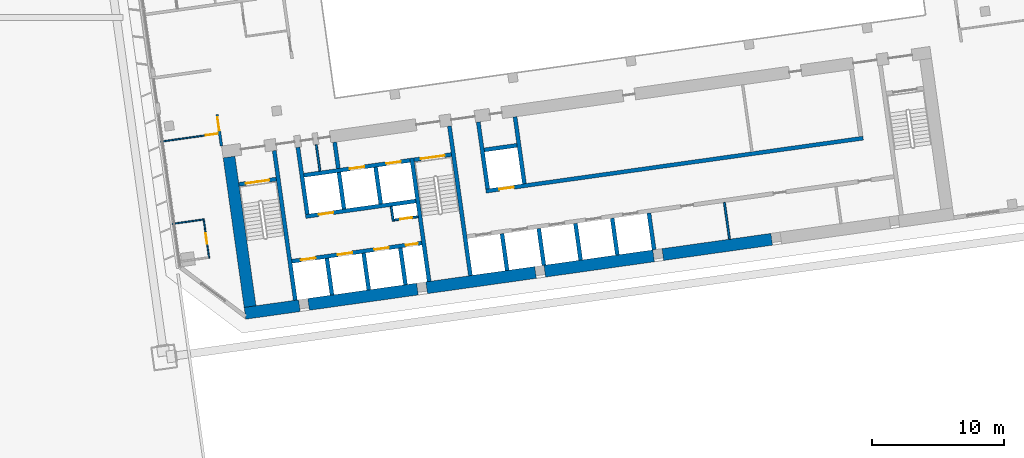
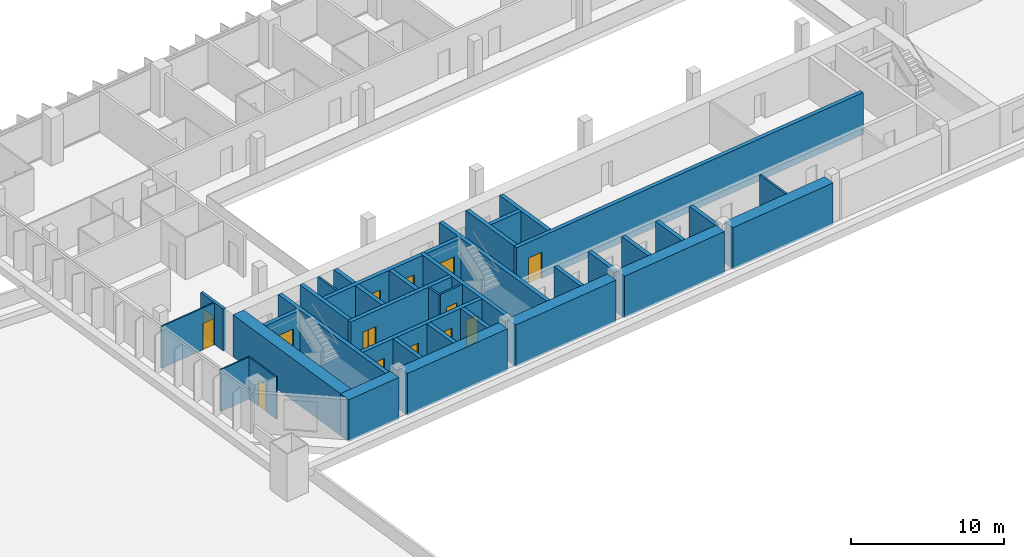
# One storey, part 33 of 46: 38 walls, 14 doors, 14 openings.
"""IFC4 building model written with IfcOpenShell, lengths in metres."""

from ifc_helpers import new_model, si_unit, direction, frame, frame_2d, origin, place, context, subcontext, project, spatial, rectangle, extrude, material, layer, layer_set, type_object, element, fill, save


model = new_model("IFC4")

# Units and contexts
model_context = context("Model", 3, precision=1e-05, world=origin(), true_north=direction((0.0, 1.0)))
body_context = subcontext(model_context, "Body", "Model", "MODEL_VIEW")
ifc_project = project(units=[si_unit("LENGTHUNIT", "METRE"), si_unit("AREAUNIT", "SQUARE_METRE"), si_unit("VOLUMEUNIT", "CUBIC_METRE"), si_unit("PLANEANGLEUNIT", "RADIAN"), si_unit("MASSUNIT", "GRAM", prefix="KILO")], contexts=[model_context])

# Site, building, storey
site_placement = place(None, origin())
site = spatial("IfcSite", under=ifc_project, at=site_placement, CompositionType="ELEMENT")
building_placement = place(site_placement, origin())
building = spatial("IfcBuilding", under=site, at=building_placement, Name="Mirante Cascada Hotel Towers", CompositionType="ELEMENT")
storey_placement = place(building_placement, frame((0.0, 0.0, 39.5)))
storey = spatial("IfcBuildingStorey", under=building, at=storey_placement, Name="L06", CompositionType="ELEMENT", Elevation=39.5)

# Wall, opening, door
ifc_material_1 = material(Name="Fire-rated plasterboard on metal studs")
ifc_layer_1 = layer(ifc_material_1, 0.2)
ifc_layer_set_1 = layer_set([ifc_layer_1], Name="Compartment wall 200 EI 120")
wall_type_1 = type_object("IfcWallType", Name="Compartment wall 200 EI 120", PredefinedType="PARTITIONING", material=ifc_layer_set_1)
wall_1_placement = place(storey_placement, frame((35.2634, -7.1173, 0.0), z_axis=(0.0, 0.0, 1.0), x_axis=(-0.1391635, 0.9902694, 0.0)))
wall_1 = element("IfcWall", 1, at=wall_1_placement, inside=storey, type_object=wall_type_1, Name="Wall 2-L06-29", PredefinedType="PARTITIONING", context=body_context, shape_type="SweptSolid", body=[
    extrude(rectangle(XDim=2.4001, YDim=0.2, at=frame_2d((1.2, 0.0))), origin(), (0.0, 0.0, 1.0), 3.35),
])
opening_1_placement = place(wall_1_placement, frame((1.1833, 0.0, 0.0)))
opening_1 = element("IfcOpeningElement", 2, at=opening_1_placement, cuts=wall_1, Name="Opening D2-L06-29", PredefinedType="OPENING", context=body_context, shape_type="SweptSolid", body=[
    extrude(rectangle(XDim=1.0, YDim=2.1, at=frame_2d((0.5, 1.05))), frame((0.0, 0.1, 0.0), z_axis=(0.0, -1.0, 0.0), x_axis=(1.0, 0.0, 0.0)), (0.0, 0.0, 1.0), 0.2),
])
ifc_material_2 = material(Name="Fire-rated timber door leaf", Category="wood")
door_type_1 = type_object("IfcDoorType", Name="Entrance door DG1 1000x2100 EI 60", OperationType="SINGLE_SWING_LEFT", PredefinedType="DOOR", material=ifc_material_2)
door_1_placement = place(opening_1_placement, origin())
door_1 = element("IfcDoor", 3, at=door_1_placement, inside=storey, type_object=door_type_1, Name="Door D2-L06-29", OperationType="SINGLE_SWING_LEFT", OverallHeight=2.1, OverallWidth=1.0, PredefinedType="DOOR", context=body_context, shape_type="SweptSolid", body=[
    extrude(rectangle(XDim=1.0, YDim=2.1, at=frame_2d((0.5, 1.05))), frame((0.0, 0.025, 0.0), z_axis=(0.0, -1.0, 0.0), x_axis=(1.0, 0.0, 0.0)), (0.0, 0.0, 1.0), 0.05),
])
fill(opening_1, door_1)

# Wall
ifc_material_3 = material(Name="Masonry block", Category="masonry")
ifc_layer_2 = layer(ifc_material_3, 0.15)
ifc_layer_set_2 = layer_set([ifc_layer_2], Name="Core room partition 150 block EI 30")
wall_type_2 = type_object("IfcWallType", Name="Core room partition 150 block EI 30", PredefinedType="PARTITIONING", material=ifc_layer_set_2)
wall_2_placement = place(storey_placement, frame((48.2295, -12.793, 0.0), z_axis=(0.0, 0.0, 1.0), x_axis=(-0.1391935, 0.9902652, 0.0)))
element("IfcWall", 4, at=wall_2_placement, inside=storey, type_object=wall_type_2, Name="Core wall partition T2 L06 2", PredefinedType="PARTITIONING", context=body_context, shape_type="SweptSolid", body=[
    extrude(rectangle(XDim=1.1251, YDim=0.15, at=frame_2d((0.5626, 0.0))), origin(), (0.0, 0.0, 1.0), 3.35),
])

# Wall, opening, door
wall_3_placement = place(storey_placement, frame((48.2933, -12.7083, 0.0), z_axis=(0.0, 0.0, 1.0), x_axis=(0.990268, 0.1391734, 0.0)))
wall_3 = element("IfcWall", 5, at=wall_3_placement, inside=storey, type_object=wall_type_2, Name="Core wall partition T2 L06 3", PredefinedType="PARTITIONING", context=body_context, shape_type="SweptSolid", body=[
    extrude(rectangle(XDim=1.8251, YDim=0.15, at=frame_2d((0.9126, 0.0))), origin(), (0.0, 0.0, 1.0), 3.35),
])
opening_2_placement = place(wall_3_placement, frame((0.4625, 0.0, 0.0)))
opening_2 = element("IfcOpeningElement", 6, at=opening_2_placement, cuts=wall_3, Name="Opening D2-06-C23", PredefinedType="OPENING", context=body_context, shape_type="SweptSolid", body=[
    extrude(rectangle(XDim=0.9, YDim=2.1, at=frame_2d((0.45, 1.05))), frame((0.0, 0.075, 0.0), z_axis=(0.0, -1.0, 0.0), x_axis=(1.0, 0.0, 0.0)), (0.0, 0.0, 1.0), 0.15),
])
ifc_material_4 = material(Name="Hollow metal fire door leaf")
door_type_2 = type_object("IfcDoorType", Name="Fire door 900x2100 FD60", OperationType="NOTDEFINED", PredefinedType="DOOR", material=ifc_material_4)
door_2_placement = place(opening_2_placement, frame((0.9, 0.0, 0.0), z_axis=(0.0, 0.0, 1.0), x_axis=(-1.0, 0.0, 0.0)))
door_2 = element("IfcDoor", 7, at=door_2_placement, inside=storey, type_object=door_type_2, Name="Riser door T2 L06 23", OperationType="SINGLE_SWING_RIGHT", OverallHeight=2.1, OverallWidth=0.9, PredefinedType="DOOR", context=body_context, shape_type="SweptSolid", body=[
    extrude(rectangle(XDim=0.9, YDim=2.1, at=frame_2d((0.45, 1.05))), frame((0.0, 0.025, 0.0), z_axis=(0.0, -1.0, 0.0), x_axis=(1.0, 0.0, 0.0)), (0.0, 0.0, 1.0), 0.05),
])
fill(opening_2, door_2)

# Walls
wall_4_placement = place(storey_placement, frame((42.6979, -9.0009, 0.0), z_axis=(0.0, 0.0, 1.0), x_axis=(-0.1391529, 0.9902709, 0.0)))
element("IfcWall", 8, at=wall_4_placement, inside=storey, type_object=wall_type_2, Name="Core wall partition T2 L06 4", PredefinedType="PARTITIONING", context=body_context, shape_type="SweptSolid", body=[
    extrude(rectangle(XDim=2.0, YDim=0.15, at=frame_2d((1.0, 0.0))), origin(), (0.0, 0.0, 1.0), 3.35),
])
wall_5_placement = place(storey_placement, frame((73.6152, -14.1482, 0.0), z_axis=(0.0, 0.0, 1.0), x_axis=(-0.139176, 0.9902677, 0.0)))
element("IfcWall", 9, at=wall_5_placement, inside=storey, type_object=wall_type_2, Name="Core wall partition T2 L06 5", PredefinedType="PARTITIONING", context=body_context, shape_type="SweptSolid", body=[
    extrude(rectangle(XDim=2.8001, YDim=0.15, at=frame_2d((1.4, 0.0))), origin(), (0.0, 0.0, 1.0), 3.35),
])
ifc_material_5 = material(Name="Masonry block", Category="masonry")
ifc_layer_3 = layer(ifc_material_5, 0.3)
ifc_layer_set_3 = layer_set([ifc_layer_3], Name="Core wall 300 block EI 120")
wall_type_3 = type_object("IfcWallType", Name="Core wall 300 block EI 120", PredefinedType="PARTITIONING", material=ifc_layer_set_3)
wall_6_placement = place(storey_placement, frame((44.0843, -8.8061, 0.0), z_axis=(0.0, 0.0, 1.0), x_axis=(-0.1391951, 0.990265, 0.0)))
element("IfcWall", 10, at=wall_6_placement, inside=storey, type_object=wall_type_3, Name="Core wall partition T2 L06 1", PredefinedType="PARTITIONING", context=body_context, shape_type="SweptSolid", body=[
    extrude(rectangle(XDim=2.0001, YDim=0.3, at=frame_2d((1.0001, 0.0))), origin(), (0.0, 0.0, 1.0), 3.35),
])
ifc_material_6 = material(Name="Plasterboard on metal studs")
ifc_layer_4 = layer(ifc_material_6, 0.1)
ifc_layer_set_4 = layer_set([ifc_layer_4], Name="Partition 100")
wall_type_4 = type_object("IfcWallType", Name="Partition 100", PredefinedType="PARTITIONING", material=ifc_layer_set_4)
wall_7_placement = place(storey_placement, frame((31.5448, -12.992, 0.0), z_axis=(0.0, 0.0, 1.0), x_axis=(0.9902661, 0.139187, 0.0)))
element("IfcWall", 11, at=wall_7_placement, inside=storey, type_object=wall_type_4, Name="Wall 2-L06-03", PredefinedType="PARTITIONING", context=body_context, shape_type="SweptSolid", body=[
    extrude(rectangle(XDim=2.3501, YDim=0.1, at=frame_2d((1.175, 0.0))), origin(), (0.0, 0.0, 1.0), 3.35),
])

# Wall, opening, door
wall_8_placement = place(storey_placement, frame((35.0298, -6.1739, 0.0), z_axis=(0.0, 0.0, 1.0), x_axis=(-0.9902665, -0.1391841, 0.0)))
wall_8 = element("IfcWall", 12, at=wall_8_placement, inside=storey, type_object=wall_type_4, Name="Wall 2-L06-04", PredefinedType="PARTITIONING", context=body_context, shape_type="SweptSolid", body=[
    extrude(rectangle(XDim=4.3999, YDim=0.1, at=frame_2d((2.2, 0.0))), origin(), (0.0, 0.0, 1.0), 3.35),
])
opening_3_placement = place(wall_8_placement, frame((0.05, 0.0, 0.0)))
opening_3 = element("IfcOpeningElement", 13, at=opening_3_placement, cuts=wall_8, Name="Opening D2-L06-02", PredefinedType="OPENING", context=body_context, shape_type="SweptSolid", body=[
    extrude(rectangle(XDim=0.9, YDim=2.1, at=frame_2d((0.45, 1.05))), frame((0.0, 0.05, 0.0), z_axis=(0.0, -1.0, 0.0), x_axis=(1.0, 0.0, 0.0)), (0.0, 0.0, 1.0), 0.1),
])
ifc_material_7 = material(Name="Timber door leaf", Category="wood")
door_type_3 = type_object("IfcDoorType", Name="Room door DG3 900x2100", OperationType="SINGLE_SWING_LEFT", PredefinedType="DOOR", material=ifc_material_7)
door_3_placement = place(opening_3_placement, origin())
door_3 = element("IfcDoor", 14, at=door_3_placement, inside=storey, type_object=door_type_3, Name="Door D2-L06-02", OperationType="SINGLE_SWING_LEFT", OverallHeight=2.1, OverallWidth=0.9, PredefinedType="DOOR", context=body_context, shape_type="SweptSolid", body=[
    extrude(rectangle(XDim=0.9, YDim=2.1, at=frame_2d((0.45, 1.05))), frame((0.0, 0.025, 0.0), z_axis=(0.0, -1.0, 0.0), x_axis=(1.0, 0.0, 0.0)), (0.0, 0.0, 1.0), 0.05),
])
fill(opening_3, door_3)

wall_9_placement = place(storey_placement, frame((34.332, -15.5793, 0.0), z_axis=(0.0, 0.0, 1.0), x_axis=(-0.1391624, 0.9902696, 0.0)))
wall_9 = element("IfcWall", 15, at=wall_9_placement, inside=storey, type_object=wall_type_4, Name="Wall 2-L06-27", PredefinedType="PARTITIONING", context=body_context, shape_type="SweptSolid", body=[
    extrude(rectangle(XDim=3.0001, YDim=0.1, at=frame_2d((1.5001, 0.0))), origin(), (0.0, 0.0, 1.0), 3.35),
])
opening_4_placement = place(wall_9_placement, frame((1.1, 0.0, 0.0)))
opening_4 = element("IfcOpeningElement", 16, at=opening_4_placement, cuts=wall_9, Name="Opening D2-L06-27", PredefinedType="OPENING", context=body_context, shape_type="SweptSolid", body=[
    extrude(rectangle(XDim=0.8, YDim=2.1, at=frame_2d((0.4, 1.05))), frame((0.0, 0.05, 0.0), z_axis=(0.0, -1.0, 0.0), x_axis=(1.0, 0.0, 0.0)), (0.0, 0.0, 1.0), 0.1),
])
ifc_material_8 = material(Name="Timber door leaf", Category="wood")
door_type_4 = type_object("IfcDoorType", Name="Bathroom door DG4 800x2100", OperationType="SINGLE_SWING_LEFT", PredefinedType="DOOR", material=ifc_material_8)
door_4_placement = place(opening_4_placement, frame((0.8, 0.0, 0.0), z_axis=(0.0, 0.0, 1.0), x_axis=(-1.0, 0.0, 0.0)))
door_4 = element("IfcDoor", 17, at=door_4_placement, inside=storey, type_object=door_type_4, Name="Door D2-L06-27", OperationType="SINGLE_SWING_RIGHT", OverallHeight=2.1, OverallWidth=0.8, PredefinedType="DOOR", context=body_context, shape_type="SweptSolid", body=[
    extrude(rectangle(XDim=0.8, YDim=2.1, at=frame_2d((0.4, 1.05))), frame((0.0, 0.025, 0.0), z_axis=(0.0, -1.0, 0.0), x_axis=(1.0, 0.0, 0.0)), (0.0, 0.0, 1.0), 0.05),
])
fill(opening_4, door_4)

# Walls
ifc_material_9 = material(Name="Concrete C50/60", Category="concrete")
ifc_layer_5 = layer(ifc_material_9, 0.3)
ifc_layer_set_5 = layer_set([ifc_layer_5], Name="RC core wall 300 C50/60")
wall_type_5 = type_object("IfcWallType", Name="RC core wall 300 C50/60", PredefinedType="SHEAR", material=ifc_layer_set_5)
wall_10_placement = place(storey_placement, frame((40.8373, -18.7548, 0.0), z_axis=(0.0, 0.0, 1.0), x_axis=(-0.1391749, 0.9902678, 0.0)))
element("IfcWall", 18, at=wall_10_placement, inside=storey, type_object=wall_type_5, Name="Core wall T2:L06:5", PredefinedType="SHEAR", context=body_context, shape_type="SweptSolid", body=[
    extrude(rectangle(XDim=11.4, YDim=0.3, at=frame_2d((5.7, 0.0))), origin(), (0.0, 0.0, 1.0), 3.35),
])
wall_11_placement = place(storey_placement, frame((50.938, -17.3352, 0.0), z_axis=(0.0, 0.0, 1.0), x_axis=(-0.1391706, 0.9902684, 0.0)))
element("IfcWall", 19, at=wall_11_placement, inside=storey, type_object=wall_type_5, Name="Core wall T2:L06:6", PredefinedType="SHEAR", context=body_context, shape_type="SweptSolid", body=[
    extrude(rectangle(XDim=9.4, YDim=0.3, at=frame_2d((4.7, 0.0))), origin(), (0.0, 0.0, 1.0), 3.35),
])
wall_12_placement = place(storey_placement, frame((54.0574, -16.8968, 0.0), z_axis=(0.0, 0.0, 1.0), x_axis=(-0.1391761, 0.9902677, 0.0)))
element("IfcWall", 20, at=wall_12_placement, inside=storey, type_object=wall_type_5, Name="Core wall T2:L06:7", PredefinedType="SHEAR", context=body_context, shape_type="SweptSolid", body=[
    extrude(rectangle(XDim=11.3999, YDim=0.3, at=frame_2d((5.7, 0.0))), origin(), (0.0, 0.0, 1.0), 3.35),
])

# Wall, opening, door
wall_13_placement = place(storey_placement, frame((36.5791, -10.0123, 0.0), z_axis=(0.0, 0.0, 1.0), x_axis=(0.9902704, 0.1391564, 0.0)))
wall_13 = element("IfcWall", 21, at=wall_13_placement, inside=storey, type_object=wall_type_5, Name="Core wall T2:L06:9", PredefinedType="SHEAR", context=body_context, shape_type="SweptSolid", body=[
    extrude(rectangle(XDim=2.85, YDim=0.3, at=frame_2d((1.425, 0.0))), origin(), (0.0, 0.0, 1.0), 3.35),
])
opening_5_placement = place(wall_13_placement, frame((0.525, 0.0, 0.0)))
opening_5 = element("IfcOpeningElement", 22, at=opening_5_placement, cuts=wall_13, Name="Opening D2-06-C13", PredefinedType="OPENING", context=body_context, shape_type="SweptSolid", body=[
    extrude(rectangle(XDim=1.8, YDim=2.1, at=frame_2d((0.9, 1.05))), frame((0.0, 0.15, 0.0), z_axis=(0.0, -1.0, 0.0), x_axis=(1.0, 0.0, 0.0)), (0.0, 0.0, 1.0), 0.3),
])
ifc_material_10 = material(Name="Hollow metal fire door leaf")
door_type_5 = type_object("IfcDoorType", Name="Double fire door 1800x2100 FD60", OperationType="DOUBLE_DOOR_SINGLE_SWING", PredefinedType="DOOR", material=ifc_material_10)
door_5_placement = place(opening_5_placement, frame((1.8, 0.0, 0.0), z_axis=(0.0, 0.0, 1.0), x_axis=(-1.0, 0.0, 0.0)))
door_5 = element("IfcDoor", 23, at=door_5_placement, inside=storey, type_object=door_type_5, Name="Stair door T2 L06 13", OperationType="DOUBLE_DOOR_SINGLE_SWING", OverallHeight=2.1, OverallWidth=1.8, PredefinedType="DOOR", context=body_context, shape_type="SweptSolid", body=[
    extrude(rectangle(XDim=0.895, YDim=2.1, at=frame_2d((0.4475, 1.05))), frame((0.0, 0.025, 0.0), z_axis=(0.0, -1.0, 0.0), x_axis=(1.0, 0.0, 0.0)), (0.0, 0.0, 1.0), 0.05),
    extrude(rectangle(XDim=0.895, YDim=2.1, at=frame_2d((1.3525, 1.05))), frame((0.0, 0.025, 0.0), z_axis=(0.0, -1.0, 0.0), x_axis=(1.0, 0.0, 0.0)), (0.0, 0.0, 1.0), 0.05),
])
fill(opening_5, door_5)

wall_14_placement = place(storey_placement, frame((49.7992, -8.1544, 0.0), z_axis=(0.0, 0.0, 1.0), x_axis=(0.9902656, 0.1391909, 0.0)))
wall_14 = element("IfcWall", 24, at=wall_14_placement, inside=storey, type_object=wall_type_5, Name="Core wall T2:L06:10", PredefinedType="SHEAR", context=body_context, shape_type="SweptSolid", body=[
    extrude(rectangle(XDim=2.85, YDim=0.3, at=frame_2d((1.425, 0.0))), origin(), (0.0, 0.0, 1.0), 3.35),
])
opening_6_placement = place(wall_14_placement, frame((0.525, 0.0, 0.0)))
opening_6 = element("IfcOpeningElement", 25, at=opening_6_placement, cuts=wall_14, Name="Opening D2-06-C15", PredefinedType="OPENING", context=body_context, shape_type="SweptSolid", body=[
    extrude(rectangle(XDim=1.8, YDim=2.1, at=frame_2d((0.9, 1.05))), frame((0.0, 0.15, 0.0), z_axis=(0.0, -1.0, 0.0), x_axis=(1.0, 0.0, 0.0)), (0.0, 0.0, 1.0), 0.3),
])
door_6_placement = place(opening_6_placement, frame((1.8, 0.0, 0.0), z_axis=(0.0, 0.0, 1.0), x_axis=(-1.0, 0.0, 0.0)))
door_6 = element("IfcDoor", 26, at=door_6_placement, inside=storey, type_object=door_type_5, Name="Stair door T2 L06 15", OperationType="DOUBLE_DOOR_SINGLE_SWING", OverallHeight=2.1, OverallWidth=1.8, PredefinedType="DOOR", context=body_context, shape_type="SweptSolid", body=[
    extrude(rectangle(XDim=0.895, YDim=2.1, at=frame_2d((0.4475, 1.05))), frame((0.0, 0.025, 0.0), z_axis=(0.0, -1.0, 0.0), x_axis=(1.0, 0.0, 0.0)), (0.0, 0.0, 1.0), 0.05),
    extrude(rectangle(XDim=0.895, YDim=2.1, at=frame_2d((1.3525, 1.05))), frame((0.0, 0.025, 0.0), z_axis=(0.0, -1.0, 0.0), x_axis=(1.0, 0.0, 0.0)), (0.0, 0.0, 1.0), 0.05),
])
fill(opening_6, door_6)

# Wall, openings, doors
wall_15_placement = place(storey_placement, frame((40.5753, -15.8126, 0.0), z_axis=(0.0, 0.0, 1.0), x_axis=(0.9902682, 0.1391725, 0.0)))
wall_15 = element("IfcWall", 27, at=wall_15_placement, inside=storey, type_object=wall_type_5, Name="Core wall T2:L06:12", PredefinedType="SHEAR", context=body_context, shape_type="SweptSolid", body=[
    extrude(rectangle(XDim=9.8999, YDim=0.3, at=frame_2d((4.95, 0.0))), origin(), (0.0, 0.0, 1.0), 3.35),
])
opening_7_placement = place(wall_15_placement, frame((0.7, 0.0, 0.0)))
opening_7 = element("IfcOpeningElement", 28, at=opening_7_placement, cuts=wall_15, Name="Opening LD", PredefinedType="OPENING", context=body_context, shape_type="SweptSolid", body=[
    extrude(rectangle(XDim=1.1, YDim=2.1, at=frame_2d((0.55, 1.05))), frame((0.0, 0.15, 0.0), z_axis=(0.0, -1.0, 0.0), x_axis=(1.0, 0.0, 0.0)), (0.0, 0.0, 1.0), 0.3),
])
opening_8_placement = place(wall_15_placement, frame((3.5, 0.0, 0.0)))
opening_8 = element("IfcOpeningElement", 29, at=opening_8_placement, cuts=wall_15, Name="Opening LD", PredefinedType="OPENING", context=body_context, shape_type="SweptSolid", body=[
    extrude(rectangle(XDim=1.1, YDim=2.1, at=frame_2d((0.55, 1.05))), frame((0.0, 0.15, 0.0), z_axis=(0.0, -1.0, 0.0), x_axis=(1.0, 0.0, 0.0)), (0.0, 0.0, 1.0), 0.3),
])
opening_9_placement = place(wall_15_placement, frame((6.3, 0.0, 0.0)))
opening_9 = element("IfcOpeningElement", 30, at=opening_9_placement, cuts=wall_15, Name="Opening LD", PredefinedType="OPENING", context=body_context, shape_type="SweptSolid", body=[
    extrude(rectangle(XDim=1.1, YDim=2.1, at=frame_2d((0.55, 1.05))), frame((0.0, 0.15, 0.0), z_axis=(0.0, -1.0, 0.0), x_axis=(1.0, 0.0, 0.0)), (0.0, 0.0, 1.0), 0.3),
])
opening_10_placement = place(wall_15_placement, frame((8.7, 0.0, 0.0)))
opening_10 = element("IfcOpeningElement", 31, at=opening_10_placement, cuts=wall_15, Name="Opening D2-06-C22", PredefinedType="OPENING", context=body_context, shape_type="SweptSolid", body=[
    extrude(rectangle(XDim=0.9, YDim=2.1, at=frame_2d((0.45, 1.05))), frame((0.0, 0.15, 0.0), z_axis=(0.0, -1.0, 0.0), x_axis=(1.0, 0.0, 0.0)), (0.0, 0.0, 1.0), 0.3),
])
door_7_placement = place(opening_10_placement, frame((0.9, 0.0, 0.0), z_axis=(0.0, 0.0, 1.0), x_axis=(-1.0, 0.0, 0.0)))
door_7 = element("IfcDoor", 32, at=door_7_placement, inside=storey, type_object=door_type_2, Name="Riser door T2 L06 22", OperationType="SINGLE_SWING_RIGHT", OverallHeight=2.1, OverallWidth=0.9, PredefinedType="DOOR", context=body_context, shape_type="SweptSolid", body=[
    extrude(rectangle(XDim=0.9, YDim=2.1, at=frame_2d((0.45, 1.05))), frame((0.0, 0.025, 0.0), z_axis=(0.0, -1.0, 0.0), x_axis=(1.0, 0.0, 0.0)), (0.0, 0.0, 1.0), 0.05),
])
fill(opening_10, door_7)
ifc_material_11 = material(Name="Stainless steel", Category="steel")
door_type_6 = type_object("IfcDoorType", Name="Lift landing door 1100x2100 EI 120", OperationType="DOUBLE_DOOR_SLIDING", PredefinedType="DOOR", material=ifc_material_11)
door_8_placement = place(opening_7_placement, origin())
door_8 = element("IfcDoor", 33, at=door_8_placement, inside=storey, type_object=door_type_6, Name="Lift landing door HR2-1 L06", OperationType="DOUBLE_DOOR_SLIDING", OverallHeight=2.1, OverallWidth=1.1, PredefinedType="DOOR", context=body_context, shape_type="SweptSolid", body=[
    extrude(rectangle(XDim=0.545, YDim=2.1, at=frame_2d((0.2725, 1.05))), frame((0.0, 0.025, 0.0), z_axis=(0.0, -1.0, 0.0), x_axis=(1.0, 0.0, 0.0)), (0.0, 0.0, 1.0), 0.05),
    extrude(rectangle(XDim=0.545, YDim=2.1, at=frame_2d((0.8275, 1.05))), frame((0.0, 0.025, 0.0), z_axis=(0.0, -1.0, 0.0), x_axis=(1.0, 0.0, 0.0)), (0.0, 0.0, 1.0), 0.05),
])
fill(opening_7, door_8)
door_9_placement = place(opening_8_placement, origin())
door_9 = element("IfcDoor", 34, at=door_9_placement, inside=storey, type_object=door_type_6, Name="Lift landing door HR2-2 L06", OperationType="DOUBLE_DOOR_SLIDING", OverallHeight=2.1, OverallWidth=1.1, PredefinedType="DOOR", context=body_context, shape_type="SweptSolid", body=[
    extrude(rectangle(XDim=0.545, YDim=2.1, at=frame_2d((0.2725, 1.05))), frame((0.0, 0.025, 0.0), z_axis=(0.0, -1.0, 0.0), x_axis=(1.0, 0.0, 0.0)), (0.0, 0.0, 1.0), 0.05),
    extrude(rectangle(XDim=0.545, YDim=2.1, at=frame_2d((0.8275, 1.05))), frame((0.0, 0.025, 0.0), z_axis=(0.0, -1.0, 0.0), x_axis=(1.0, 0.0, 0.0)), (0.0, 0.0, 1.0), 0.05),
])
fill(opening_8, door_9)
door_10_placement = place(opening_9_placement, origin())
door_10 = element("IfcDoor", 35, at=door_10_placement, inside=storey, type_object=door_type_6, Name="Lift landing door HR2-3 L06", OperationType="DOUBLE_DOOR_SLIDING", OverallHeight=2.1, OverallWidth=1.1, PredefinedType="DOOR", context=body_context, shape_type="SweptSolid", body=[
    extrude(rectangle(XDim=0.545, YDim=2.1, at=frame_2d((0.2725, 1.05))), frame((0.0, 0.025, 0.0), z_axis=(0.0, -1.0, 0.0), x_axis=(1.0, 0.0, 0.0)), (0.0, 0.0, 1.0), 0.05),
    extrude(rectangle(XDim=0.545, YDim=2.1, at=frame_2d((0.8275, 1.05))), frame((0.0, 0.025, 0.0), z_axis=(0.0, -1.0, 0.0), x_axis=(1.0, 0.0, 0.0)), (0.0, 0.0, 1.0), 0.05),
])
fill(opening_9, door_10)

# Wall, opening, door
wall_16_placement = place(storey_placement, frame((41.6153, -12.435, 0.0), z_axis=(0.0, 0.0, 1.0), x_axis=(0.9902691, 0.139166, 0.0)))
wall_16 = element("IfcWall", 36, at=wall_16_placement, inside=storey, type_object=wall_type_5, Name="Core wall T2:L06:13", PredefinedType="SHEAR", context=body_context, shape_type="SweptSolid", body=[
    extrude(rectangle(XDim=8.4, YDim=0.3, at=frame_2d((4.2, 0.0))), origin(), (0.0, 0.0, 1.0), 3.35),
])
opening_11_placement = place(wall_16_placement, frame((1.0, 0.0, 0.0)))
opening_11 = element("IfcOpeningElement", 37, at=opening_11_placement, cuts=wall_16, Name="Opening LD", PredefinedType="OPENING", context=body_context, shape_type="SweptSolid", body=[
    extrude(rectangle(XDim=1.1, YDim=2.1, at=frame_2d((0.55, 1.05))), frame((0.0, 0.15, 0.0), z_axis=(0.0, -1.0, 0.0), x_axis=(1.0, 0.0, 0.0)), (0.0, 0.0, 1.0), 0.3),
])
door_11_placement = place(opening_11_placement, origin())
door_11 = element("IfcDoor", 38, at=door_11_placement, inside=storey, type_object=door_type_6, Name="Lift landing door HR2-4 L06", OperationType="DOUBLE_DOOR_SLIDING", OverallHeight=2.1, OverallWidth=1.1, PredefinedType="DOOR", context=body_context, shape_type="SweptSolid", body=[
    extrude(rectangle(XDim=0.545, YDim=2.1, at=frame_2d((0.2725, 1.05))), frame((0.0, 0.025, 0.0), z_axis=(0.0, -1.0, 0.0), x_axis=(1.0, 0.0, 0.0)), (0.0, 0.0, 1.0), 0.05),
    extrude(rectangle(XDim=0.545, YDim=2.1, at=frame_2d((0.8275, 1.05))), frame((0.0, 0.025, 0.0), z_axis=(0.0, -1.0, 0.0), x_axis=(1.0, 0.0, 0.0)), (0.0, 0.0, 1.0), 0.05),
])
fill(opening_11, door_11)

# Wall, openings, doors
wall_17_placement = place(storey_placement, frame((41.481, -9.3234, 0.0), z_axis=(0.0, 0.0, 1.0), x_axis=(0.9902679, 0.1391741, 0.0)))
wall_17 = element("IfcWall", 39, at=wall_17_placement, inside=storey, type_object=wall_type_5, Name="Core wall T2:L06:14", PredefinedType="SHEAR", context=body_context, shape_type="SweptSolid", body=[
    extrude(rectangle(XDim=8.0999, YDim=0.3, at=frame_2d((4.05, 0.0))), origin(), (0.0, 0.0, 1.0), 3.35),
])
opening_12_placement = place(wall_17_placement, frame((3.5, 0.0, 0.0)))
opening_12 = element("IfcOpeningElement", 40, at=opening_12_placement, cuts=wall_17, Name="Opening LD", PredefinedType="OPENING", context=body_context, shape_type="SweptSolid", body=[
    extrude(rectangle(XDim=1.1, YDim=2.1, at=frame_2d((0.55, 1.05))), frame((0.0, 0.15, 0.0), z_axis=(0.0, -1.0, 0.0), x_axis=(1.0, 0.0, 0.0)), (0.0, 0.0, 1.0), 0.3),
])
opening_13_placement = place(wall_17_placement, frame((6.3, 0.0, 0.0)))
opening_13 = element("IfcOpeningElement", 41, at=opening_13_placement, cuts=wall_17, Name="Opening LD", PredefinedType="OPENING", context=body_context, shape_type="SweptSolid", body=[
    extrude(rectangle(XDim=1.1, YDim=2.1, at=frame_2d((0.55, 1.05))), frame((0.0, 0.15, 0.0), z_axis=(0.0, -1.0, 0.0), x_axis=(1.0, 0.0, 0.0)), (0.0, 0.0, 1.0), 0.3),
])
door_12_placement = place(opening_12_placement, origin())
door_12 = element("IfcDoor", 42, at=door_12_placement, inside=storey, type_object=door_type_6, Name="Lift landing door FF3 L06", OperationType="DOUBLE_DOOR_SLIDING", OverallHeight=2.1, OverallWidth=1.1, PredefinedType="DOOR", context=body_context, shape_type="SweptSolid", body=[
    extrude(rectangle(XDim=0.545, YDim=2.1, at=frame_2d((0.2725, 1.05))), frame((0.0, 0.025, 0.0), z_axis=(0.0, -1.0, 0.0), x_axis=(1.0, 0.0, 0.0)), (0.0, 0.0, 1.0), 0.05),
    extrude(rectangle(XDim=0.545, YDim=2.1, at=frame_2d((0.8275, 1.05))), frame((0.0, 0.025, 0.0), z_axis=(0.0, -1.0, 0.0), x_axis=(1.0, 0.0, 0.0)), (0.0, 0.0, 1.0), 0.05),
])
fill(opening_12, door_12)
door_13_placement = place(opening_13_placement, origin())
door_13 = element("IfcDoor", 43, at=door_13_placement, inside=storey, type_object=door_type_6, Name="Lift landing door FF4 L06", OperationType="DOUBLE_DOOR_SLIDING", OverallHeight=2.1, OverallWidth=1.1, PredefinedType="DOOR", context=body_context, shape_type="SweptSolid", body=[
    extrude(rectangle(XDim=0.545, YDim=2.1, at=frame_2d((0.2725, 1.05))), frame((0.0, 0.025, 0.0), z_axis=(0.0, -1.0, 0.0), x_axis=(1.0, 0.0, 0.0)), (0.0, 0.0, 1.0), 0.05),
    extrude(rectangle(XDim=0.545, YDim=2.1, at=frame_2d((0.8275, 1.05))), frame((0.0, 0.025, 0.0), z_axis=(0.0, -1.0, 0.0), x_axis=(1.0, 0.0, 0.0)), (0.0, 0.0, 1.0), 0.05),
])
fill(opening_13, door_13)

# Walls
wall_18_placement = place(storey_placement, frame((43.61, -18.3651, 0.0), z_axis=(0.0, 0.0, 1.0), x_axis=(-0.1391459, 0.9902719, 0.0)))
element("IfcWall", 44, at=wall_18_placement, inside=storey, type_object=wall_type_5, Name="Core wall T2:L06:15", PredefinedType="SHEAR", context=body_context, shape_type="SweptSolid", body=[
    extrude(rectangle(XDim=2.7999, YDim=0.3, at=frame_2d((1.4, 0.0))), origin(), (0.0, 0.0, 1.0), 3.35),
])
wall_19_placement = place(storey_placement, frame((46.3828, -17.9754, 0.0), z_axis=(0.0, 0.0, 1.0), x_axis=(-0.139181, 0.990267, 0.0)))
element("IfcWall", 45, at=wall_19_placement, inside=storey, type_object=wall_type_5, Name="Core wall T2:L06:16", PredefinedType="SHEAR", context=body_context, shape_type="SweptSolid", body=[
    extrude(rectangle(XDim=2.8, YDim=0.3, at=frame_2d((1.4, 0.0))), origin(), (0.0, 0.0, 1.0), 3.35),
])
wall_20_placement = place(storey_placement, frame((49.1555, -17.5857, 0.0), z_axis=(0.0, 0.0, 1.0), x_axis=(-0.1391459, 0.9902719, 0.0)))
element("IfcWall", 46, at=wall_20_placement, inside=storey, type_object=wall_type_5, Name="Core wall T2:L06:17", PredefinedType="SHEAR", context=body_context, shape_type="SweptSolid", body=[
    extrude(rectangle(XDim=2.7999, YDim=0.3, at=frame_2d((1.4, 0.0))), origin(), (0.0, 0.0, 1.0), 3.35),
])
for number, where, z_axis, x_axis, name in (
    (47, (44.5157, -11.8759, 0.0), (0.0, 0.0, 1.0), (-0.139181, 0.990267, 0.0), "Core wall T2:L06:18"),
    (48, (47.2885, -11.4862, 0.0), (0.0, 0.0, 1.0), (-0.139181, 0.990267, 0.0), "Core wall T2:L06:19"),
):
    element("IfcWall", number, at=place(storey_placement, frame(where, z_axis=z_axis, x_axis=x_axis)), inside=storey, type_object=wall_type_5, Name=name, PredefinedType="SHEAR", context=body_context, shape_type="SweptSolid", body=[
        extrude(rectangle(XDim=2.8, YDim=0.3, at=frame_2d((1.4, 0.0))), origin(), (0.0, 0.0, 1.0), 3.35),
    ])
wall_21_placement = place(storey_placement, frame((41.743, -12.2656, 0.0), z_axis=(0.0, 0.0, 1.0), x_axis=(-0.1391755, 0.9902677, 0.0)))
element("IfcWall", 49, at=wall_21_placement, inside=storey, type_object=wall_type_5, Name="Core wall T2:L06:20", PredefinedType="SHEAR", context=body_context, shape_type="SweptSolid", body=[
    extrude(rectangle(XDim=5.1, YDim=0.3, at=frame_2d((2.55, 0.0))), origin(), (0.0, 0.0, 1.0), 3.35),
])
for number, where, z_axis, x_axis, name in (
    (50, (56.8301, -16.5072, 0.0), (0.0, 0.0, 1.0), (-0.139176, 0.9902677, 0.0), "Core wall T2:L06:26"),
    (51, (59.6029, -16.1175, 0.0), (0.0, 0.0, 1.0), (-0.139176, 0.9902677, 0.0), "Core wall T2:L06:27"),
    (52, (62.3756, -15.7278, 0.0), (0.0, 0.0, 1.0), (-0.139176, 0.9902677, 0.0), "Core wall T2:L06:28"),
    (53, (65.1484, -15.3381, 0.0), (0.0, 0.0, 1.0), (-0.139176, 0.9902677, 0.0), "Core wall T2:L06:29"),
):
    element("IfcWall", number, at=place(storey_placement, frame(where, z_axis=z_axis, x_axis=x_axis)), inside=storey, type_object=wall_type_5, Name=name, PredefinedType="SHEAR", context=body_context, shape_type="SweptSolid", body=[
        extrude(rectangle(XDim=2.8001, YDim=0.3, at=frame_2d((1.4, 0.0))), origin(), (0.0, 0.0, 1.0), 3.35),
    ])
wall_22_placement = place(storey_placement, frame((67.9211, -14.9484, 0.0), z_axis=(0.0, 0.0, 1.0), x_axis=(-0.139181, 0.990267, 0.0)))
element("IfcWall", 54, at=wall_22_placement, inside=storey, type_object=wall_type_5, Name="Core wall T2:L06:30", PredefinedType="SHEAR", context=body_context, shape_type="SweptSolid", body=[
    extrude(rectangle(XDim=2.8, YDim=0.3, at=frame_2d((1.4, 0.0))), origin(), (0.0, 0.0, 1.0), 3.35),
])

# Wall, opening, door
wall_23_placement = place(storey_placement, frame((55.2315, -10.5214, 0.0), z_axis=(0.0, 0.0, 1.0), x_axis=(0.9902682, 0.1391722, 0.0)))
wall_23 = element("IfcWall", 55, at=wall_23_placement, inside=storey, type_object=wall_type_5, Name="Core wall T2:L06:33", PredefinedType="SHEAR", context=body_context, shape_type="SweptSolid", body=[
    extrude(rectangle(XDim=28.75, YDim=0.3, at=frame_2d((14.375, 0.0))), origin(), (0.0, 0.0, 1.0), 3.35),
])
opening_14_placement = place(wall_23_placement, frame((1.0, 0.0, 0.0)))
opening_14 = element("IfcOpeningElement", 56, at=opening_14_placement, cuts=wall_23, Name="Opening LD", PredefinedType="OPENING", context=body_context, shape_type="SweptSolid", body=[
    extrude(rectangle(XDim=1.1, YDim=2.1, at=frame_2d((0.55, 1.05))), frame((0.0, 0.15, 0.0), z_axis=(0.0, -1.0, 0.0), x_axis=(1.0, 0.0, 0.0)), (0.0, 0.0, 1.0), 0.3),
])
door_14_placement = place(opening_14_placement, origin())
door_14 = element("IfcDoor", 57, at=door_14_placement, inside=storey, type_object=door_type_6, Name="Lift landing door LR2-3 L06", OperationType="DOUBLE_DOOR_SLIDING", OverallHeight=2.1, OverallWidth=1.1, PredefinedType="DOOR", context=body_context, shape_type="SweptSolid", body=[
    extrude(rectangle(XDim=0.545, YDim=2.1, at=frame_2d((0.2725, 1.05))), frame((0.0, 0.025, 0.0), z_axis=(0.0, -1.0, 0.0), x_axis=(1.0, 0.0, 0.0)), (0.0, 0.0, 1.0), 0.05),
    extrude(rectangle(XDim=0.545, YDim=2.1, at=frame_2d((0.8275, 1.05))), frame((0.0, 0.025, 0.0), z_axis=(0.0, -1.0, 0.0), x_axis=(1.0, 0.0, 0.0)), (0.0, 0.0, 1.0), 0.05),
])
fill(opening_14, door_14)

# Walls
for number, where, z_axis, x_axis, name in (
    (58, (55.3592, -10.352, 0.0), (0.0, 0.0, 1.0), (-0.1391755, 0.9902677, 0.0), "Core wall T2:L06:34"),
    (59, (58.1319, -9.9623, 0.0), (0.0, 0.0, 1.0), (-0.1391755, 0.9902677, 0.0), "Core wall T2:L06:36"),
):
    element("IfcWall", number, at=place(storey_placement, frame(where, z_axis=z_axis, x_axis=x_axis)), inside=storey, type_object=wall_type_5, Name=name, PredefinedType="SHEAR", context=body_context, shape_type="SweptSolid", body=[
        extrude(rectangle(XDim=5.1, YDim=0.3, at=frame_2d((2.55, 0.0))), origin(), (0.0, 0.0, 1.0), 3.35),
    ])
wall_24_placement = place(storey_placement, frame((55.0971, -7.4098, 0.0), z_axis=(0.0, 0.0, 1.0), x_axis=(0.9902701, 0.1391586, 0.0)))
element("IfcWall", 60, at=wall_24_placement, inside=storey, type_object=wall_type_5, Name="Core wall T2:L06:37", PredefinedType="SHEAR", context=body_context, shape_type="SweptSolid", body=[
    extrude(rectangle(XDim=2.5, YDim=0.3, at=frame_2d((1.25, 0.0))), origin(), (0.0, 0.0, 1.0), 3.35),
])
ifc_material_12 = material(Name="Concrete C50/60", Category="concrete")
ifc_layer_6 = layer(ifc_material_12, 0.9)
ifc_layer_set_6 = layer_set([ifc_layer_6], Name="RC core wall 900 C50/60")
wall_type_6 = type_object("IfcWallType", Name="RC core wall 900 C50/60", PredefinedType="SHEAR", material=ifc_layer_set_6)
wall_25_placement = place(storey_placement, frame((37.0379, -19.7432, 0.0), z_axis=(0.0, 0.0, 1.0), x_axis=(0.990267, 0.139181, 0.0)))
element("IfcWall", 61, at=wall_25_placement, inside=storey, type_object=wall_type_6, Name="Core wall T2:L06:1.1", PredefinedType="SHEAR", context=body_context, shape_type="SweptSolid", body=[
    extrude(rectangle(XDim=4.15, YDim=0.9, at=frame_2d((2.075, 0.0))), origin(), (0.0, 0.0, 1.0), 3.35),
])
for number, where, z_axis, x_axis, name in (
    (62, (41.8407, -19.0682, 0.0), (0.0, 0.0, 1.0), (0.9902686, 0.1391692, 0.0), "Core wall T2:L06:1.2"),
    (63, (50.7531, -17.8156, 0.0), (0.0, 0.0, 1.0), (0.9902686, 0.1391692, 0.0), "Core wall T2:L06:1.3"),
    (64, (59.6655, -16.5631, 0.0), (0.0, 0.0, 1.0), (0.9902686, 0.1391692, 0.0), "Core wall T2:L06:1.4"),
    (65, (68.5779, -15.3105, 0.0), (0.0, 0.0, 1.0), (0.9902686, 0.1391692, 0.0), "Core wall T2:L06:1.5"),
):
    element("IfcWall", number, at=place(storey_placement, frame(where, z_axis=z_axis, x_axis=x_axis)), inside=storey, type_object=wall_type_6, Name=name, PredefinedType="SHEAR", context=body_context, shape_type="SweptSolid", body=[
        extrude(rectangle(XDim=8.3, YDim=0.9, at=frame_2d((4.15, 0.0))), origin(), (0.0, 0.0, 1.0), 3.35),
    ])
wall_26_placement = place(storey_placement, frame((37.4209, -19.2349, 0.0), z_axis=(0.0, 0.0, 1.0), x_axis=(-0.1391761, 0.9902677, 0.0)))
element("IfcWall", 66, at=wall_26_placement, inside=storey, type_object=wall_type_6, Name="Core wall T2:L06:3", PredefinedType="SHEAR", context=body_context, shape_type="SweptSolid", body=[
    extrude(rectangle(XDim=11.3999, YDim=0.9, at=frame_2d((5.7, 0.0))), origin(), (0.0, 0.0, 1.0), 3.35),
])

save(model, "model.ifc")
